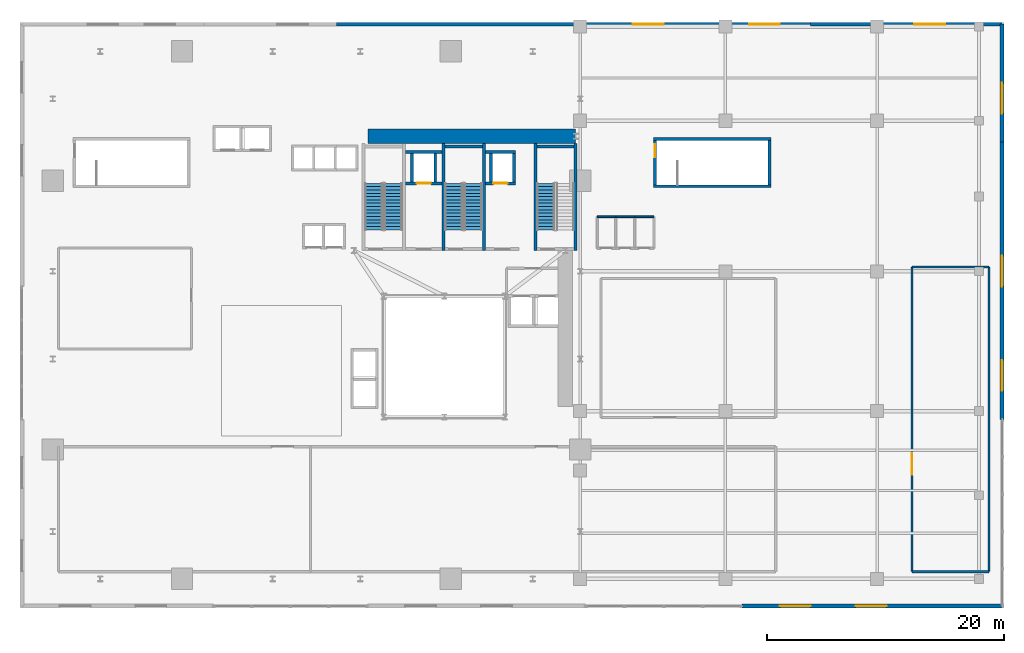
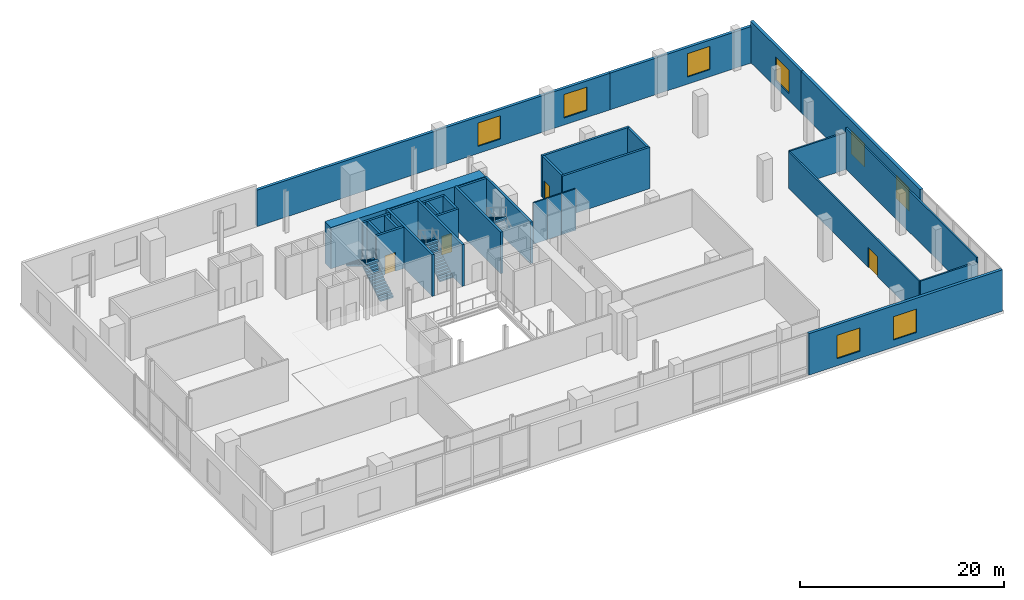
# One storey, part 9 of 13: 31 walls, 8 windows, 5 stair flights, 4 doors, 12 openings, 3 elements without a shape of their own.
"""IFC4 building model written with IfcOpenShell, lengths in metres."""

from ifc_helpers import new_model, si_unit, direction, frame, frame_2d, origin, place, context, subcontext, project, spatial, polyline, rectangle, outline, extrude, source, transform, mapped, material, layer, layer_set, type_object, element, fill, aggregate, save


model = new_model("IFC4")

# Units and contexts
model_context = context("Model", 3, precision=1e-05, world=origin(), true_north=direction((0.0, 1.0)))
body_context = subcontext(model_context, "Body", "Model", "MODEL_VIEW")
ifc_project = project(units=[si_unit("LENGTHUNIT", "METRE"), si_unit("AREAUNIT", "SQUARE_METRE"), si_unit("VOLUMEUNIT", "CUBIC_METRE"), si_unit("PLANEANGLEUNIT", "RADIAN"), si_unit("MASSUNIT", "GRAM", prefix="KILO")], contexts=[model_context])

# Site, building, storey
site_placement = place(None, origin())
site = spatial("IfcSite", under=ifc_project, at=site_placement, CompositionType="ELEMENT")
building_placement = place(site_placement, origin())
building = spatial("IfcBuilding", under=site, at=building_placement, Name="Vardaveli Station Tower", CompositionType="ELEMENT")
storey_placement = place(building_placement, frame((0.0, 0.0, 22.39990234375)))
storey = spatial("IfcBuildingStorey", under=building, at=storey_placement, Name="L05", CompositionType="ELEMENT", Elevation=22.39990234375)

# Wall
ifc_material_1 = material(Name="Concrete C70/85", Category="concrete")
ifc_layer_1 = layer(ifc_material_1, 1.199951171875, Name="Concrete C70/85")
ifc_layer_set_1 = layer_set([ifc_layer_1], Name="Concrete C70/85")
wall_type_1 = type_object("IfcWallType", Name="WAL-CORE-1200", PredefinedType="SHEAR", material=ifc_layer_set_1)
shared_shape_1 = source(origin(), body_context, "Body", "SweptSolid", [
    extrude(rectangle(XDim=17.52001953125, YDim=1.199951171875, at=frame_2d((8.760009765625, 0.0))), origin(), (0.0, 0.0, 1.0), 4.960205078125),
])
wall_1_placement = place(storey_placement, frame((29.85009765625, 40.300048828125, 0.0), z_axis=(0.0, 0.0, 1.0), x_axis=(1.0, 0.0, 0.0)))
element("IfcWall", 1, at=wall_1_placement, inside=storey, type_object=wall_type_1, Name="SW-L05-NORTH", PredefinedType="SHEAR", context=body_context, shape_type="MappedRepresentation", body=[
    mapped(shared_shape_1, transform((0.0, 0.0, 0.0), scale=1.0)),
])

# Wall, openings, windows
ifc_material_2 = material(Name="Precast concrete C45/55", Category="concrete")
ifc_layer_2 = layer(ifc_material_2, 0.320068359375, Name="Precast concrete C45/55")
ifc_layer_set_2 = layer_set([ifc_layer_2], Name="Precast concrete C45/55")
wall_type_2 = type_object("IfcWallType", Name="WAL-EXT-STONE-320", PredefinedType="SOLIDWALL", material=ifc_layer_set_2)
shared_shape_2 = source(origin(), body_context, "Body", "SweptSolid", [
    extrude(rectangle(XDim=21.9501953125, YDim=0.320068359375, at=frame_2d((10.97509765625, 0.0))), origin(), (0.0, 0.0, 1.0), 4.960205078125),
])
wall_2_placement = place(storey_placement, frame((61.39990234375, 0.64990234375, 0.0), z_axis=(0.0, 0.0, 1.0), x_axis=(1.0, 0.0, 0.0)))
wall_2 = element("IfcWall", 2, at=wall_2_placement, inside=storey, type_object=wall_type_2, Name="EW-L05-S5", PredefinedType="SOLIDWALL", context=body_context, shape_type="MappedRepresentation", body=[
    mapped(shared_shape_2, transform((0.0, 0.0, 0.0), scale=1.0)),
])
shared_shape_3 = source(origin(), body_context, "Body", "SweptSolid", [
    extrude(rectangle(XDim=2.60009765625, YDim=2.800048828125, at=frame_2d((1.300048828125, 1.39990234375))), frame((0.0, 0.169921875, 0.0), z_axis=(0.0, -1.0, 0.0), x_axis=(1.0, 0.0, 0.0)), (0.0, 0.0, 1.0), 0.340087890625),
])
opening_1_placement = place(wall_2_placement, frame((3.199951171875, 0.0, 0.85009765625)))
opening_1 = element("IfcOpeningElement", 3, at=opening_1_placement, cuts=wall_2, Name="Opening W-02", PredefinedType="OPENING", context=body_context, shape_type="MappedRepresentation", body=[
    mapped(shared_shape_3, transform((0.0, 0.0, 0.0), scale=1.0)),
])
opening_2_placement = place(wall_2_placement, frame((9.60009765625, 0.0, 0.85009765625)))
opening_2 = element("IfcOpeningElement", 4, at=opening_2_placement, cuts=wall_2, Name="Opening W-02", PredefinedType="OPENING", context=body_context, shape_type="MappedRepresentation", body=[
    mapped(shared_shape_3, transform((0.0, 0.0, 0.0), scale=1.0)),
])
ifc_material_3 = material(Name="Low-E solar-control glass", Category="glass")
window_type = type_object("IfcWindowType", Name="WIN-POD-2600x2800", PartitioningType="SINGLE_PANEL", PredefinedType="WINDOW", material=ifc_material_3)
shared_shape_4 = source(origin(), body_context, "Body", "SweptSolid", [
    extrude(rectangle(XDim=2.60009765625, YDim=2.800048828125, at=frame_2d((1.300048828125, 1.39990234375))), frame((0.0, 0.030029296875, 0.0), z_axis=(0.0, -1.0, 0.0), x_axis=(1.0, 0.0, 0.0)), (0.0, 0.0, 1.0), 0.06005859375),
])
window_1_placement = place(opening_1_placement, origin())
window_1 = element("IfcWindow", 5, at=window_1_placement, inside=storey, type_object=window_type, Name="WN-L05-S5A", OverallHeight=2.800048828125, OverallWidth=2.60009765625, PartitioningType="SINGLE_PANEL", PredefinedType="WINDOW", context=body_context, shape_type="MappedRepresentation", body=[
    mapped(shared_shape_4, transform((0.0, 0.0, 0.0), scale=1.0)),
])
fill(opening_1, window_1)
window_2_placement = place(opening_2_placement, origin())
window_2 = element("IfcWindow", 6, at=window_2_placement, inside=storey, type_object=window_type, Name="WN-L05-S5B", OverallHeight=2.800048828125, OverallWidth=2.60009765625, PartitioningType="SINGLE_PANEL", PredefinedType="WINDOW", context=body_context, shape_type="MappedRepresentation", body=[
    mapped(shared_shape_4, transform((0.0, 0.0, 0.0), scale=1.0)),
])
fill(opening_2, window_2)

shared_shape_5 = source(origin(), body_context, "Body", "SweptSolid", [
    extrude(rectangle(XDim=40.0, YDim=0.320068359375, at=frame_2d((20.0, 0.0))), origin(), (0.0, 0.0, 1.0), 4.385009765625),
])
wall_3_placement = place(storey_placement, frame((67.199951171875, 49.75, 0.0), z_axis=(0.0, 0.0, 1.0), x_axis=(-1.0, 0.0, 0.0)))
wall_3 = element("IfcWall", 7, at=wall_3_placement, inside=storey, type_object=wall_type_2, Name="EW-L05-N3", PredefinedType="SOLIDWALL", context=body_context, shape_type="MappedRepresentation", body=[
    mapped(shared_shape_5, transform((0.0, 0.0, 0.0), scale=1.0)),
])
opening_3_placement = place(wall_3_placement, frame((2.60009765625, 0.0, 0.85009765625)))
opening_3 = element("IfcOpeningElement", 8, at=opening_3_placement, cuts=wall_3, Name="Opening W-02", PredefinedType="OPENING", context=body_context, shape_type="MappedRepresentation", body=[
    mapped(shared_shape_3, transform((0.0, 0.0, 0.0), scale=1.0)),
])
opening_4_placement = place(wall_3_placement, frame((12.39990234375, 0.0, 0.85009765625)))
opening_4 = element("IfcOpeningElement", 9, at=opening_4_placement, cuts=wall_3, Name="Opening W-02", PredefinedType="OPENING", context=body_context, shape_type="MappedRepresentation", body=[
    mapped(shared_shape_3, transform((0.0, 0.0, 0.0), scale=1.0)),
])
window_3_placement = place(opening_3_placement, origin())
window_3 = element("IfcWindow", 10, at=window_3_placement, inside=storey, type_object=window_type, Name="WN-L05-N3A", OverallHeight=2.800048828125, OverallWidth=2.60009765625, PartitioningType="SINGLE_PANEL", PredefinedType="WINDOW", context=body_context, shape_type="MappedRepresentation", body=[
    mapped(shared_shape_4, transform((0.0, 0.0, 0.0), scale=1.0)),
])
fill(opening_3, window_3)
window_4_placement = place(opening_4_placement, origin())
window_4 = element("IfcWindow", 11, at=window_4_placement, inside=storey, type_object=window_type, Name="WN-L05-N3B", OverallHeight=2.800048828125, OverallWidth=2.60009765625, PartitioningType="SINGLE_PANEL", PredefinedType="WINDOW", context=body_context, shape_type="MappedRepresentation", body=[
    mapped(shared_shape_4, transform((0.0, 0.0, 0.0), scale=1.0)),
])
fill(opening_4, window_4)

# Wall, opening, window
shared_shape_6 = source(origin(), body_context, "Body", "SweptSolid", [
    extrude(rectangle(XDim=16.150146484375, YDim=0.320068359375, at=frame_2d((8.0751953125, 0.0))), origin(), (0.0, 0.0, 1.0), 4.385009765625),
])
wall_4_placement = place(storey_placement, frame((83.35009765625, 49.75, 0.0), z_axis=(0.0, 0.0, 1.0), x_axis=(-1.0, 0.0, 0.0)))
wall_4 = element("IfcWall", 12, at=wall_4_placement, inside=storey, type_object=wall_type_2, Name="EW-L05-N4", PredefinedType="SOLIDWALL", context=body_context, shape_type="MappedRepresentation", body=[
    mapped(shared_shape_6, transform((0.0, 0.0, 0.0), scale=1.0)),
])
opening_5_placement = place(wall_4_placement, frame((4.800048828125, 0.0, 0.85009765625)))
opening_5 = element("IfcOpeningElement", 13, at=opening_5_placement, cuts=wall_4, Name="Opening W-02", PredefinedType="OPENING", context=body_context, shape_type="MappedRepresentation", body=[
    mapped(shared_shape_3, transform((0.0, 0.0, 0.0), scale=1.0)),
])
window_5_placement = place(opening_5_placement, origin())
window_5 = element("IfcWindow", 14, at=window_5_placement, inside=storey, type_object=window_type, Name="WN-L05-N4A", OverallHeight=2.800048828125, OverallWidth=2.60009765625, PartitioningType="SINGLE_PANEL", PredefinedType="WINDOW", context=body_context, shape_type="MappedRepresentation", body=[
    mapped(shared_shape_4, transform((0.0, 0.0, 0.0), scale=1.0)),
])
fill(opening_5, window_5)

# Wall, openings, windows
shared_shape_7 = source(origin(), body_context, "Body", "SweptSolid", [
    extrude(rectangle(XDim=23.400146484375, YDim=0.320068359375, at=frame_2d((11.7001953125, 0.0))), origin(), (0.0, 0.0, 1.0), 4.960205078125),
])
wall_5_placement = place(storey_placement, frame((83.35009765625, 16.39990234375, 0.0), z_axis=(0.0, 0.0, 1.0), x_axis=(0.0, 1.0, 0.0)))
wall_5 = element("IfcWall", 15, at=wall_5_placement, inside=storey, type_object=wall_type_2, Name="EW-L05-E2", PredefinedType="SOLIDWALL", context=body_context, shape_type="MappedRepresentation", body=[
    mapped(shared_shape_7, transform((0.0, 0.0, 0.0), scale=1.0)),
])
opening_6_placement = place(wall_5_placement, frame((2.39990234375, 0.0, 0.85009765625)))
opening_6 = element("IfcOpeningElement", 16, at=opening_6_placement, cuts=wall_5, Name="Opening W-02", PredefinedType="OPENING", context=body_context, shape_type="MappedRepresentation", body=[
    mapped(shared_shape_3, transform((0.0, 0.0, 0.0), scale=1.0)),
])
opening_7_placement = place(wall_5_placement, frame((11.199951171875, 0.0, 0.85009765625)))
opening_7 = element("IfcOpeningElement", 17, at=opening_7_placement, cuts=wall_5, Name="Opening W-02", PredefinedType="OPENING", context=body_context, shape_type="MappedRepresentation", body=[
    mapped(shared_shape_3, transform((0.0, 0.0, 0.0), scale=1.0)),
])
window_6_placement = place(opening_6_placement, origin())
window_6 = element("IfcWindow", 18, at=window_6_placement, inside=storey, type_object=window_type, Name="WN-L05-E2A", OverallHeight=2.800048828125, OverallWidth=2.60009765625, PartitioningType="SINGLE_PANEL", PredefinedType="WINDOW", context=body_context, shape_type="MappedRepresentation", body=[
    mapped(shared_shape_4, transform((0.0, 0.0, 0.0), scale=1.0)),
])
fill(opening_6, window_6)
window_7_placement = place(opening_7_placement, origin())
window_7 = element("IfcWindow", 19, at=window_7_placement, inside=storey, type_object=window_type, Name="WN-L05-E2B", OverallHeight=2.800048828125, OverallWidth=2.60009765625, PartitioningType="SINGLE_PANEL", PredefinedType="WINDOW", context=body_context, shape_type="MappedRepresentation", body=[
    mapped(shared_shape_4, transform((0.0, 0.0, 0.0), scale=1.0)),
])
fill(opening_7, window_7)

# Wall, opening, window
shared_shape_8 = source(origin(), body_context, "Body", "SweptSolid", [
    extrude(rectangle(XDim=9.949951171875, YDim=0.320068359375, at=frame_2d((4.97509765625, 0.0))), origin(), (0.0, 0.0, 1.0), 4.960205078125),
])
wall_6_placement = place(storey_placement, frame((83.35009765625, 39.800048828125, 0.0), z_axis=(0.0, 0.0, 1.0), x_axis=(0.0, 1.0, 0.0)))
wall_6 = element("IfcWall", 20, at=wall_6_placement, inside=storey, type_object=wall_type_2, Name="EW-L05-E3", PredefinedType="SOLIDWALL", context=body_context, shape_type="MappedRepresentation", body=[
    mapped(shared_shape_8, transform((0.0, 0.0, 0.0), scale=1.0)),
])
opening_8_placement = place(wall_6_placement, frame((2.39990234375, 0.0, 0.85009765625)))
opening_8 = element("IfcOpeningElement", 21, at=opening_8_placement, cuts=wall_6, Name="Opening W-02", PredefinedType="OPENING", context=body_context, shape_type="MappedRepresentation", body=[
    mapped(shared_shape_3, transform((0.0, 0.0, 0.0), scale=1.0)),
])
window_8_placement = place(opening_8_placement, origin())
window_8 = element("IfcWindow", 22, at=window_8_placement, inside=storey, type_object=window_type, Name="WN-L05-E3A", OverallHeight=2.800048828125, OverallWidth=2.60009765625, PartitioningType="SINGLE_PANEL", PredefinedType="WINDOW", context=body_context, shape_type="MappedRepresentation", body=[
    mapped(shared_shape_4, transform((0.0, 0.0, 0.0), scale=1.0)),
])
fill(opening_8, window_8)

# Walls
ifc_material_4 = material(Name="Concrete C40/50", Category="concrete")
ifc_layer_3 = layer(ifc_material_4, 0.25, Name="Concrete C40/50")
ifc_layer_set_3 = layer_set([ifc_layer_3], Name="Concrete C40/50")
wall_type_3 = type_object("IfcWallType", Name="WAL-SHAFT-250", PredefinedType="SOLIDWALL", material=ifc_layer_set_3)
shared_shape_9 = source(origin(), body_context, "Body", "SweptSolid", [
    extrude(rectangle(XDim=9.050048828125, YDim=0.25, at=frame_2d((4.52490234375, 0.0))), origin(), (0.0, 0.0, 1.0), 5.0),
])
for number, where, z_axis, x_axis, name in (
    (23, (36.22509765625, 30.64990234375, 0.0), (0.0, 0.0, 1.0), (0.0, 1.0, 0.0), "W-L05-ST-2W"),
    (24, (39.625, 30.64990234375, 0.0), (0.0, 0.0, 1.0), (0.0, 1.0, 0.0), "W-L05-ST-2E"),
    (25, (43.97509765625, 30.64990234375, 0.0), (0.0, 0.0, 1.0), (0.0, 1.0, 0.0), "W-L05-ST-3W"),
    (26, (47.375, 30.64990234375, 0.0), (0.0, 0.0, 1.0), (0.0, 1.0, 0.0), "W-L05-ST-3E"),
):
    element("IfcWall", number, at=place(storey_placement, frame(where, z_axis=z_axis, x_axis=x_axis)), inside=storey, type_object=wall_type_3, Name=name, PredefinedType="SOLIDWALL", context=body_context, shape_type="MappedRepresentation", body=[
        mapped(shared_shape_9, transform((0.0, 0.0, 0.0), scale=1.0)),
    ])
shared_shape_10 = source(origin(), body_context, "Body", "SweptSolid", [
    extrude(rectangle(XDim=3.14990234375, YDim=0.25, at=frame_2d((1.574951171875, 0.0))), origin(), (0.0, 0.0, 1.0), 5.0),
])
for number, where, z_axis, x_axis, name in (
    (27, (36.35009765625, 39.425048828125, 0.0), (0.0, 0.0, 1.0), (1.0, 0.0, 0.0), "W-L05-ST-2N"),
    (28, (44.10009765625, 39.425048828125, 0.0), (0.0, 0.0, 1.0), (1.0, 0.0, 0.0), "W-L05-ST-3N"),
):
    element("IfcWall", number, at=place(storey_placement, frame(where, z_axis=z_axis, x_axis=x_axis)), inside=storey, type_object=wall_type_3, Name=name, PredefinedType="SOLIDWALL", context=body_context, shape_type="MappedRepresentation", body=[
        mapped(shared_shape_10, transform((0.0, 0.0, 0.0), scale=1.0)),
    ])
shared_shape_11 = source(origin(), body_context, "Body", "SweptSolid", [
    extrude(rectangle(XDim=9.900146484375, YDim=0.25, at=frame_2d((4.9501953125, 0.0))), origin(), (0.0, 0.0, 1.0), 4.960205078125),
])
for number, where, z_axis, x_axis, name in (
    (29, (53.949951171875, 36.074951171875, 0.0), (0.0, 0.0, 1.0), (1.0, 0.0, 0.0), "W-L05-ST-P2S"),
    (30, (53.949951171875, 40.074951171875, 0.0), (0.0, 0.0, 1.0), (1.0, 0.0, 0.0), "W-L05-ST-P2N"),
):
    element("IfcWall", number, at=place(storey_placement, frame(where, z_axis=z_axis, x_axis=x_axis)), inside=storey, type_object=wall_type_3, Name=name, PredefinedType="SOLIDWALL", context=body_context, shape_type="MappedRepresentation", body=[
        mapped(shared_shape_11, transform((0.0, 0.0, 0.0), scale=1.0)),
    ])
shared_shape_12 = source(origin(), body_context, "Body", "SweptSolid", [
    extrude(rectangle(XDim=3.75, YDim=0.25, at=frame_2d((1.875, 0.0))), origin(), (0.0, 0.0, 1.0), 4.960205078125),
])
wall_7_placement = place(storey_placement, frame((63.72509765625, 36.199951171875, 0.0), z_axis=(0.0, 0.0, 1.0), x_axis=(0.0, 1.0, 0.0)))
element("IfcWall", 31, at=wall_7_placement, inside=storey, type_object=wall_type_3, Name="W-L05-ST-P2E", PredefinedType="SOLIDWALL", context=body_context, shape_type="MappedRepresentation", body=[
    mapped(shared_shape_12, transform((0.0, 0.0, 0.0), scale=1.0)),
])

# Wall, opening, door
wall_8_placement = place(storey_placement, frame((54.074951171875, 36.199951171875, 0.0), z_axis=(0.0, 0.0, 1.0), x_axis=(0.0, 1.0, 0.0)))
wall_8 = element("IfcWall", 32, at=wall_8_placement, inside=storey, type_object=wall_type_3, Name="W-L05-ST-P2W", PredefinedType="SOLIDWALL", context=body_context, shape_type="MappedRepresentation", body=[
    mapped(shared_shape_12, transform((0.0, 0.0, 0.0), scale=1.0)),
])
shared_shape_13 = source(origin(), body_context, "Body", "SweptSolid", [
    extrude(rectangle(XDim=1.10009765625, YDim=2.199951171875, at=frame_2d((0.550048828125, 1.10009765625))), frame((0.0, 0.135009765625, 0.0), z_axis=(0.0, -1.0, 0.0), x_axis=(1.0, 0.0, 0.0)), (0.0, 0.0, 1.0), 0.27001953125),
])
opening_9_placement = place(wall_8_placement, frame((2.300048828125, 0.0, 0.0)))
opening_9 = element("IfcOpeningElement", 33, at=opening_9_placement, cuts=wall_8, Name="Opening D-04", PredefinedType="OPENING", context=body_context, shape_type="MappedRepresentation", body=[
    mapped(shared_shape_13, transform((0.0, 0.0, 0.0), scale=1.0)),
])
ifc_material_5 = material(Name="Steel smokeproof fire doorset", Category="steel")
door_type_1 = type_object("IfcDoorType", Name="DR-ST-1100x2200", OperationType="NOTDEFINED", PredefinedType="DOOR", material=ifc_material_5)
shared_shape_14 = source(origin(), body_context, "Body", "SweptSolid", [
    extrude(rectangle(XDim=1.10009765625, YDim=2.199951171875, at=frame_2d((0.550048828125, 1.10009765625))), frame((0.0, 0.02490234375, 0.0), z_axis=(0.0, -1.0, 0.0), x_axis=(1.0, 0.0, 0.0)), (0.0, 0.0, 1.0), 0.050048828125),
])
door_1_placement = place(opening_9_placement, origin())
door_1 = element("IfcDoor", 34, at=door_1_placement, inside=storey, type_object=door_type_1, Name="DST-P2-L05", OperationType="SINGLE_SWING_RIGHT", OverallHeight=2.199951171875, OverallWidth=1.10009765625, PredefinedType="DOOR", context=body_context, shape_type="MappedRepresentation", body=[
    mapped(shared_shape_14, transform((0.0, 0.0, 0.0), scale=1.0)),
])
fill(opening_9, door_1)

shared_shape_15 = source(origin(), body_context, "Body", "SweptSolid", [
    extrude(rectangle(XDim=3.10009765625, YDim=0.25, at=frame_2d((1.550048828125, 0.0))), origin(), (0.0, 0.0, 1.0), 4.960205078125),
])
wall_9_placement = place(storey_placement, frame((33.0, 36.324951171875, 0.0), z_axis=(0.0, 0.0, 1.0), x_axis=(1.0, 0.0, 0.0)))
wall_9 = element("IfcWall", 35, at=wall_9_placement, inside=storey, type_object=wall_type_3, Name="SHW-FFL-01-L05-S", PredefinedType="SOLIDWALL", context=body_context, shape_type="MappedRepresentation", body=[
    mapped(shared_shape_15, transform((0.0, 0.0, 0.0), scale=1.0)),
])
shared_shape_16 = source(origin(), body_context, "Body", "SweptSolid", [
    extrude(rectangle(XDim=1.199951171875, YDim=2.25, at=frame_2d((0.60009765625, 1.125))), frame((0.0, 0.135009765625, 0.0), z_axis=(0.0, -1.0, 0.0), x_axis=(1.0, 0.0, 0.0)), (0.0, 0.0, 1.0), 0.27001953125),
])
opening_10_placement = place(wall_9_placement, frame((0.949951171875, 0.0, 0.0)))
opening_10 = element("IfcOpeningElement", 36, at=opening_10_placement, cuts=wall_9, Name="Opening LD-02", PredefinedType="OPENING", context=body_context, shape_type="MappedRepresentation", body=[
    mapped(shared_shape_16, transform((0.0, 0.0, 0.0), scale=1.0)),
])
ifc_material_6 = material(Name="Brushed stainless steel", Category="steel")
door_type_2 = type_object("IfcDoorType", Name="DR-LD-1200x2250", OperationType="DOUBLE_DOOR_SLIDING", PredefinedType="DOOR", material=ifc_material_6)
shared_shape_17 = source(origin(), body_context, "Body", "SweptSolid", [
    extrude(rectangle(XDim=1.199951171875, YDim=2.25, at=frame_2d((0.60009765625, 1.125))), frame((0.0, 0.02490234375, 0.0), z_axis=(0.0, -1.0, 0.0), x_axis=(1.0, 0.0, 0.0)), (0.0, 0.0, 1.0), 0.050048828125),
])
door_2_placement = place(opening_10_placement, origin())
door_2 = element("IfcDoor", 37, at=door_2_placement, inside=storey, type_object=door_type_2, Name="LD-FFL-01-L05", OperationType="DOUBLE_DOOR_SLIDING", OverallHeight=2.25, OverallWidth=1.199951171875, PredefinedType="DOOR", context=body_context, shape_type="MappedRepresentation", body=[
    mapped(shared_shape_17, transform((0.0, 0.0, 0.0), scale=1.0)),
])
fill(opening_10, door_2)

# Walls
wall_10_placement = place(storey_placement, frame((33.0, 38.97509765625, 0.0), z_axis=(0.0, 0.0, 1.0), x_axis=(1.0, 0.0, 0.0)))
element("IfcWall", 38, at=wall_10_placement, inside=storey, type_object=wall_type_3, Name="SHW-FFL-01-L05-N", PredefinedType="SOLIDWALL", context=body_context, shape_type="MappedRepresentation", body=[
    mapped(shared_shape_15, transform((0.0, 0.0, 0.0), scale=1.0)),
])
shared_shape_18 = source(origin(), body_context, "Body", "SweptSolid", [
    extrude(rectangle(XDim=2.400146484375, YDim=0.25, at=frame_2d((1.2001953125, 0.0))), origin(), (0.0, 0.0, 1.0), 4.960205078125),
])
for number, where, z_axis, x_axis, name in (
    (39, (33.574951171875, 36.449951171875, 0.0), (0.0, 0.0, 1.0), (0.0, 1.0, 0.0), "SHW-FFL-01-L05-W"),
    (40, (35.52490234375, 36.449951171875, 0.0), (0.0, 0.0, 1.0), (0.0, 1.0, 0.0), "SHW-FFL-01-L05-E"),
    (41, (40.22509765625, 36.449951171875, 0.0), (0.0, 0.0, 1.0), (0.0, 1.0, 0.0), "SHW-FFL-02-L05-W"),
    (42, (42.175048828125, 36.449951171875, 0.0), (0.0, 0.0, 1.0), (0.0, 1.0, 0.0), "SHW-FFL-02-L05-E"),
):
    element("IfcWall", number, at=place(storey_placement, frame(where, z_axis=z_axis, x_axis=x_axis)), inside=storey, type_object=wall_type_3, Name=name, PredefinedType="SOLIDWALL", context=body_context, shape_type="MappedRepresentation", body=[
        mapped(shared_shape_18, transform((0.0, 0.0, 0.0), scale=1.0)),
    ])

# Wall, opening, door
shared_shape_19 = source(origin(), body_context, "Body", "SweptSolid", [
    extrude(rectangle(XDim=2.550048828125, YDim=0.25, at=frame_2d((1.27490234375, 0.0))), origin(), (0.0, 0.0, 1.0), 4.960205078125),
])
wall_11_placement = place(storey_placement, frame((39.75, 36.324951171875, 0.0), z_axis=(0.0, 0.0, 1.0), x_axis=(1.0, 0.0, 0.0)))
wall_11 = element("IfcWall", 43, at=wall_11_placement, inside=storey, type_object=wall_type_3, Name="SHW-FFL-02-L05-S", PredefinedType="SOLIDWALL", context=body_context, shape_type="MappedRepresentation", body=[
    mapped(shared_shape_19, transform((0.0, 0.0, 0.0), scale=1.0)),
])
opening_11_placement = place(wall_11_placement, frame((0.675048828125, 0.0, 0.0)))
opening_11 = element("IfcOpeningElement", 44, at=opening_11_placement, cuts=wall_11, Name="Opening LD-02", PredefinedType="OPENING", context=body_context, shape_type="MappedRepresentation", body=[
    mapped(shared_shape_16, transform((0.0, 0.0, 0.0), scale=1.0)),
])
door_3_placement = place(opening_11_placement, origin())
door_3 = element("IfcDoor", 45, at=door_3_placement, inside=storey, type_object=door_type_2, Name="LD-FFL-02-L05", OperationType="DOUBLE_DOOR_SLIDING", OverallHeight=2.25, OverallWidth=1.199951171875, PredefinedType="DOOR", context=body_context, shape_type="MappedRepresentation", body=[
    mapped(shared_shape_17, transform((0.0, 0.0, 0.0), scale=1.0)),
])
fill(opening_11, door_3)

# Wall
wall_12_placement = place(storey_placement, frame((39.75, 38.97509765625, 0.0), z_axis=(0.0, 0.0, 1.0), x_axis=(1.0, 0.0, 0.0)))
element("IfcWall", 46, at=wall_12_placement, inside=storey, type_object=wall_type_3, Name="SHW-FFL-02-L05-N", PredefinedType="SOLIDWALL", context=body_context, shape_type="MappedRepresentation", body=[
    mapped(shared_shape_19, transform((0.0, 0.0, 0.0), scale=1.0)),
])

# Wall, opening, door
ifc_material_7 = material(Name="Fire-rated gypsum stud partition")
ifc_layer_4 = layer(ifc_material_7, 0.179931640625, Name="Fire-rated gypsum stud partition")
ifc_layer_set_4 = layer_set([ifc_layer_4], Name="Fire-rated gypsum stud partition")
wall_type_4 = type_object("IfcWallType", Name="WAL-CORR-180", PredefinedType="PARTITIONING", material=ifc_layer_set_4)
shared_shape_20 = source(origin(), body_context, "Body", "SweptSolid", [
    extrude(rectangle(XDim=25.699951171875, YDim=0.179931640625, at=frame_2d((12.85009765625, 0.0))), origin(), (0.0, 0.0, 1.0), 4.382080078125),
])
wall_13_placement = place(storey_placement, frame((75.75, 3.550048828125, 0.0), z_axis=(0.0, 0.0, 1.0), x_axis=(0.0, 1.0, 0.0)))
wall_13 = element("IfcWall", 47, at=wall_13_placement, inside=storey, type_object=wall_type_4, Name="W-L05-MN5-W", PredefinedType="PARTITIONING", context=body_context, shape_type="MappedRepresentation", body=[
    mapped(shared_shape_20, transform((0.0, 0.0, 0.0), scale=1.0)),
])
shared_shape_21 = source(origin(), body_context, "Body", "SweptSolid", [
    extrude(rectangle(XDim=1.800048828125, YDim=2.39990234375, at=frame_2d((0.89990234375, 1.199951171875))), frame((0.0, 0.10009765625, 0.0), z_axis=(0.0, -1.0, 0.0), x_axis=(1.0, 0.0, 0.0)), (0.0, 0.0, 1.0), 0.199951171875),
])
opening_12_placement = place(wall_13_placement, frame((8.199951171875, 0.0, 0.0)))
opening_12 = element("IfcOpeningElement", 48, at=opening_12_placement, cuts=wall_13, Name="Opening D-01", PredefinedType="OPENING", context=body_context, shape_type="MappedRepresentation", body=[
    mapped(shared_shape_21, transform((0.0, 0.0, 0.0), scale=1.0)),
])
ifc_material_8 = material(Name="Acoustic hardwood fire doorset", Category="wood")
door_type_3 = type_object("IfcDoorType", Name="DR-BALL-1800x2400", OperationType="DOUBLE_DOOR_SINGLE_SWING", PredefinedType="DOOR", material=ifc_material_8)
shared_shape_22 = source(origin(), body_context, "Body", "SweptSolid", [
    extrude(rectangle(XDim=1.800048828125, YDim=2.39990234375, at=frame_2d((0.89990234375, 1.199951171875))), frame((0.0, 0.02490234375, 0.0), z_axis=(0.0, -1.0, 0.0), x_axis=(1.0, 0.0, 0.0)), (0.0, 0.0, 1.0), 0.050048828125),
])
door_4_placement = place(opening_12_placement, origin())
door_4 = element("IfcDoor", 49, at=door_4_placement, inside=storey, type_object=door_type_3, Name="D-L05-5", OperationType="DOUBLE_DOOR_SINGLE_SWING", OverallHeight=2.39990234375, OverallWidth=1.800048828125, PredefinedType="DOOR", context=body_context, shape_type="MappedRepresentation", body=[
    mapped(shared_shape_22, transform((0.0, 0.0, 0.0), scale=1.0)),
])
fill(opening_12, door_4)

# Walls
ifc_material_9 = material(Name="Moisture-resistant stud partition")
ifc_layer_5 = layer(ifc_material_9, 0.14990234375, Name="Moisture-resistant stud partition")
ifc_layer_set_5 = layer_set([ifc_layer_5], Name="Moisture-resistant stud partition")
wall_type_5 = type_object("IfcWallType", Name="WAL-WET-150", PredefinedType="PARTITIONING", material=ifc_layer_set_5)
shared_shape_23 = source(origin(), body_context, "Body", "SweptSolid", [
    extrude(rectangle(XDim=1.619873046875, YDim=0.14990234375, at=frame_2d((0.81005859375, 0.0))), origin(), (0.0, 0.0, 1.0), 4.960205078125),
])
wall_14_placement = place(storey_placement, frame((52.360107421875, 33.5, 0.0), z_axis=(0.0, 0.0, 1.0), x_axis=(1.0, 0.0, 0.0)))
element("IfcWall", 50, at=wall_14_placement, inside=storey, type_object=wall_type_5, Name="W-L05-WCF-N", PredefinedType="PARTITIONING", context=body_context, shape_type="MappedRepresentation", body=[
    mapped(shared_shape_23, transform((0.0, 0.0, 0.0), scale=1.0)),
])
shared_shape_24 = source(origin(), body_context, "Body", "SweptSolid", [
    extrude(rectangle(XDim=1.610107421875, YDim=0.14990234375, at=frame_2d((0.80517578125, 0.0))), origin(), (0.0, 0.0, 1.0), 4.960205078125),
])
wall_15_placement = place(storey_placement, frame((50.75, 33.5, 0.0), z_axis=(0.0, 0.0, 1.0), x_axis=(1.0, 0.0, 0.0)))
element("IfcWall", 51, at=wall_15_placement, inside=storey, type_object=wall_type_5, Name="W-L05-WCM-N", PredefinedType="PARTITIONING", context=body_context, shape_type="MappedRepresentation", body=[
    mapped(shared_shape_24, transform((0.0, 0.0, 0.0), scale=1.0)),
])
shared_shape_25 = source(origin(), body_context, "Body", "SweptSolid", [
    extrude(rectangle(XDim=1.550048828125, YDim=0.14990234375, at=frame_2d((0.77490234375, 0.0))), origin(), (0.0, 0.0, 1.0), 4.960205078125),
])
wall_16_placement = place(storey_placement, frame((49.199951171875, 33.5, 0.0), z_axis=(0.0, 0.0, 1.0), x_axis=(1.0, 0.0, 0.0)))
element("IfcWall", 52, at=wall_16_placement, inside=storey, type_object=wall_type_5, Name="W-L05-WCA-N", PredefinedType="PARTITIONING", context=body_context, shape_type="MappedRepresentation", body=[
    mapped(shared_shape_25, transform((0.0, 0.0, 0.0), scale=1.0)),
])
shared_shape_26 = source(origin(), body_context, "Body", "SweptSolid", [
    extrude(rectangle(XDim=25.699951171875, YDim=0.179931640625, at=frame_2d((12.85009765625, 0.0))), origin(), (0.0, 0.0, 1.0), 4.960205078125),
])
wall_17_placement = place(storey_placement, frame((82.25, 3.550048828125, 0.0), z_axis=(0.0, 0.0, 1.0), x_axis=(0.0, 1.0, 0.0)))
element("IfcWall", 53, at=wall_17_placement, inside=storey, type_object=wall_type_4, Name="W-L05-MN5-E", PredefinedType="PARTITIONING", context=body_context, shape_type="MappedRepresentation", body=[
    mapped(shared_shape_26, transform((0.0, 0.0, 0.0), scale=1.0)),
])
shared_shape_27 = source(origin(), body_context, "Body", "SweptSolid", [
    extrude(rectangle(XDim=6.5, YDim=0.179931640625, at=frame_2d((3.25, 0.0))), origin(), (0.0, 0.0, 1.0), 4.43212890625),
])
for number, where, z_axis, x_axis, name in (
    (54, (75.75, 3.550048828125, 0.0), (0.0, 0.0, 1.0), (1.0, 0.0, 0.0), "W-L05-MN5-S"),
    (55, (75.75, 29.25, 0.0), (0.0, 0.0, 1.0), (1.0, 0.0, 0.0), "W-L05-MN5-N"),
):
    element("IfcWall", number, at=place(storey_placement, frame(where, z_axis=z_axis, x_axis=x_axis)), inside=storey, type_object=wall_type_4, Name=name, PredefinedType="PARTITIONING", context=body_context, shape_type="MappedRepresentation", body=[
        mapped(shared_shape_27, transform((0.0, 0.0, 0.0), scale=1.0)),
    ])

# Stair, stair flights
stair_type = type_object("IfcStairType", Name="STR-CORE-1500", PredefinedType="HALF_TURN_STAIR", material=ifc_material_4)
stair_1_placement = place(storey_placement, origin())
stair_1 = element("IfcStair", 56, at=stair_1_placement, inside=storey, type_object=stair_type, Name="L05 ST-1", PredefinedType="HALF_TURN_STAIR")
stair_flight_type = type_object("IfcStairFlightType", Name="SFL-CORE-1500", PredefinedType="STRAIGHT", material=ifc_material_4)
shared_shape_28 = source(origin(), body_context, "Body", "SweptSolid", [
    extrude(outline(polyline([(0.0, 0.0), (0.0, 0.17333984375), (0.280029296875, 0.17333984375), (0.280029296875, 0.3466796875), (0.56005859375, 0.3466796875), (0.56005859375, 0.52001953125), (0.840087890625, 0.52001953125), (0.840087890625, 0.693359375), (1.1201171875, 0.693359375), (1.1201171875, 0.86669921875), (1.39990234375, 0.86669921875), (1.39990234375, 1.0400390625), (1.679931640625, 1.0400390625), (1.679931640625, 1.21337890625), (1.9599609375, 1.21337890625), (1.9599609375, 1.38671875), (2.239990234375, 1.38671875), (2.239990234375, 1.56005859375), (2.52001953125, 1.56005859375), (2.52001953125, 1.7333984375), (2.800048828125, 1.7333984375), (2.800048828125, 1.90673828125), (3.080078125, 1.90673828125), (3.080078125, 2.080078125), (3.360107421875, 2.080078125), (3.360107421875, 2.25341796875), (3.639892578125, 2.25341796875), (3.639892578125, 2.4267578125), (3.919921875, 2.4267578125), (3.919921875, 2.60009765625), (3.919921875, 2.250244140625), (0.284912109375, 0.0), (0.0, 0.0)])), frame((0.0, 0.75, 0.0), z_axis=(0.0, -1.0, 0.0), x_axis=(1.0, 0.0, 0.0)), (0.0, 0.0, 1.0), 1.5),
])
stair_flight_1_placement = place(storey_placement, frame((32.0, 32.39990234375, 0.0), z_axis=(0.0, 0.0, 1.0), x_axis=(0.0, 1.0, 0.0)))
stair_flight_1 = element("IfcStairFlight", 57, at=stair_flight_1_placement, type_object=stair_flight_type, Name="ST-1 flight 1", NumberOfRisers=15, NumberOfTreads=14, PredefinedType="STRAIGHT", RiserHeight=0.173333333, TreadLength=0.28, context=body_context, shape_type="MappedRepresentation", body=[
    mapped(shared_shape_28, transform((0.0, 0.0, 0.0), scale=1.0)),
])
stair_flight_2_placement = place(storey_placement, frame((30.35009765625, 36.320068359375, 2.60009765625), z_axis=(0.0, 0.0, 1.0), x_axis=(0.0, -1.0, 0.0)))
stair_flight_2 = element("IfcStairFlight", 58, at=stair_flight_2_placement, type_object=stair_flight_type, Name="ST-1 flight 2", NumberOfRisers=15, NumberOfTreads=14, PredefinedType="STRAIGHT", RiserHeight=0.173333333, TreadLength=0.28, context=body_context, shape_type="MappedRepresentation", body=[
    mapped(shared_shape_28, transform((0.0, 0.0, 0.0), scale=1.0)),
])
aggregate(stair_1, [stair_flight_1, stair_flight_2])

stair_2_placement = place(storey_placement, origin())
stair_2 = element("IfcStair", 59, at=stair_2_placement, inside=storey, type_object=stair_type, Name="L05 ST-2", PredefinedType="HALF_TURN_STAIR")
stair_flight_3_placement = place(storey_placement, frame((38.75, 32.39990234375, 0.0), z_axis=(0.0, 0.0, 1.0), x_axis=(0.0, 1.0, 0.0)))
stair_flight_3 = element("IfcStairFlight", 60, at=stair_flight_3_placement, type_object=stair_flight_type, Name="ST-2 flight 1", NumberOfRisers=15, NumberOfTreads=14, PredefinedType="STRAIGHT", RiserHeight=0.173333333, TreadLength=0.28, context=body_context, shape_type="MappedRepresentation", body=[
    mapped(shared_shape_28, transform((0.0, 0.0, 0.0), scale=1.0)),
])
stair_flight_4_placement = place(storey_placement, frame((37.10009765625, 36.320068359375, 2.60009765625), z_axis=(0.0, 0.0, 1.0), x_axis=(0.0, -1.0, 0.0)))
stair_flight_4 = element("IfcStairFlight", 61, at=stair_flight_4_placement, type_object=stair_flight_type, Name="ST-2 flight 2", NumberOfRisers=15, NumberOfTreads=14, PredefinedType="STRAIGHT", RiserHeight=0.173333333, TreadLength=0.28, context=body_context, shape_type="MappedRepresentation", body=[
    mapped(shared_shape_28, transform((0.0, 0.0, 0.0), scale=1.0)),
])
aggregate(stair_2, [stair_flight_3, stair_flight_4])

# Stair, stair flight
stair_3_placement = place(storey_placement, origin())
stair_3 = element("IfcStair", 62, at=stair_3_placement, inside=storey, type_object=stair_type, Name="L05 ST-3", PredefinedType="HALF_TURN_STAIR")
stair_flight_5_placement = place(storey_placement, frame((44.85009765625, 36.320068359375, 2.60009765625), z_axis=(0.0, 0.0, 1.0), x_axis=(0.0, -1.0, 0.0)))
stair_flight_5 = element("IfcStairFlight", 63, at=stair_flight_5_placement, type_object=stair_flight_type, Name="ST-3 flight 2", NumberOfRisers=15, NumberOfTreads=14, PredefinedType="STRAIGHT", RiserHeight=0.173333333, TreadLength=0.28, context=body_context, shape_type="MappedRepresentation", body=[
    mapped(shared_shape_28, transform((0.0, 0.0, 0.0), scale=1.0)),
])
aggregate(stair_3, [stair_flight_5])

save(model, "model.ifc")
